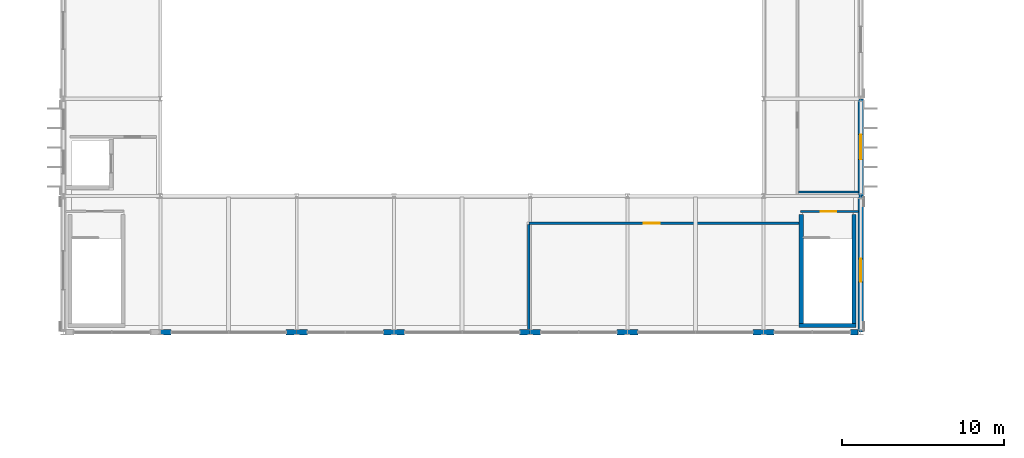
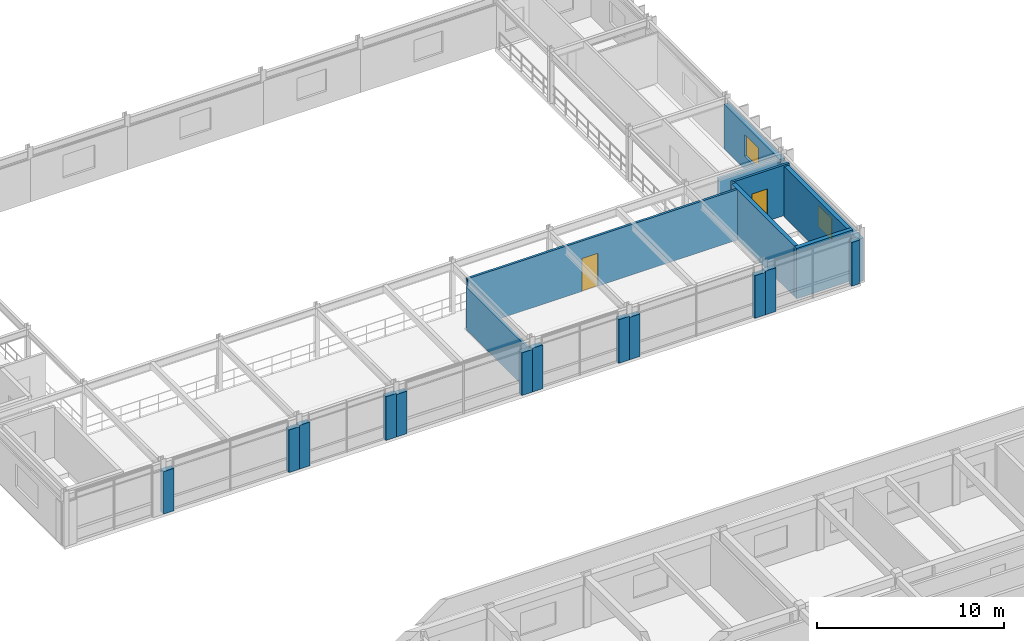
# One storey, part 53 of 88: 21 walls, 2 doors, 2 windows, 4 openings.
"""IFC4 building model written with IfcOpenShell, lengths in metres."""

from ifc_helpers import new_model, si_unit, direction, frame, frame_2d, origin, place, context, subcontext, project, spatial, rectangle, extrude, material, layer, layer_set, type_object, element, fill, save


model = new_model("IFC4")

# Units and contexts
model_context = context("Model", 3, precision=1e-05, world=origin(), true_north=direction((0.0, 1.0)))
body_context = subcontext(model_context, "Body", "Model", "MODEL_VIEW")
ifc_project = project(units=[si_unit("LENGTHUNIT", "METRE"), si_unit("AREAUNIT", "SQUARE_METRE"), si_unit("VOLUMEUNIT", "CUBIC_METRE"), si_unit("PLANEANGLEUNIT", "RADIAN"), si_unit("MASSUNIT", "GRAM", prefix="KILO"), si_unit("THERMODYNAMICTEMPERATUREUNIT", "KELVIN")], contexts=[model_context])

# Site, building, storey
site_placement = place(None, origin())
site = spatial("IfcSite", under=ifc_project, at=site_placement, CompositionType="ELEMENT")
building_placement = place(site_placement, origin())
building = spatial("IfcBuilding", under=site, at=building_placement, Name="Thalorik Housing Commons", CompositionType="ELEMENT")
storey_placement = place(building_placement, frame((0.0, 0.0, 4.5)))
storey = spatial("IfcBuildingStorey", under=building, at=storey_placement, Name="L01", CompositionType="ELEMENT", Elevation=4.5)

# Walls
ifc_material_1 = material(Name="Concrete C40/50", Category="concrete")
ifc_layer_1 = layer(ifc_material_1, 0.25, Name="Concrete C40/50", Category="concrete")
ifc_layer_set_1 = layer_set([ifc_layer_1], Name="Concrete C40/50")
wall_type_1 = type_object("IfcWallType", Name="ARC-WAL-CORE-250", PredefinedType="SHEAR", material=ifc_layer_set_1)
for number, where, z_axis, x_axis, name in (
    (1, (111.52490234375, 64.85009765625, 0.0), (0.0, 0.0, 1.0), (0.0, -1.0, 0.0), "L01 Stair ST-H2 Structural Support Wall L"),
    (2, (114.77490234375, 64.85009765625, 0.0), (0.0, 0.0, 1.0), (0.0, -1.0, 0.0), "L01 Stair ST-H2 Structural Support Wall R"),
):
    element("IfcWall", number, at=place(storey_placement, frame(where, z_axis=z_axis, x_axis=x_axis)), inside=storey, type_object=wall_type_1, Name=name, PredefinedType="SHEAR", context=body_context, shape_type="SweptSolid", body=[
        extrude(rectangle(XDim=6.7001953125, YDim=0.25, at=frame_2d((3.35009765625, 0.0))), origin(), (0.0, 0.0, 1.0), 3.300048828125),
    ])
wall_1_placement = place(storey_placement, frame((111.39990234375, 58.02490234375, 0.0), z_axis=(0.0, 0.0, 1.0), x_axis=(1.0, 0.0, 0.0)))
element("IfcWall", 3, at=wall_1_placement, inside=storey, type_object=wall_type_1, Name="L01 Stair ST-H2 Structural Support Wall F", PredefinedType="SHEAR", context=body_context, shape_type="SweptSolid", body=[
    extrude(rectangle(XDim=3.5, YDim=0.25, at=frame_2d((1.75, 0.0))), origin(), (0.0, 0.0, 1.0), 3.300048828125),
])
ifc_material_2 = material(Name="White precast concrete C40/50", Category="concrete")
ifc_layer_2 = layer(ifc_material_2, 0.320068359375, Name="White precast concrete C40/50", Category="concrete")
ifc_layer_set_2 = layer_set([ifc_layer_2], Name="White precast concrete C40/50")
wall_type_2 = type_object("IfcWallType", Name="ARC-WAL-EXT-320", PredefinedType="STANDARD", material=ifc_layer_set_2)
for number, where, z_axis, x_axis, name in (
    (4, (72.0, 57.60009765625, 0.0), (0.0, 0.0, 1.0), (1.0, 0.0, 0.0), "L01 Exterior Wall WAL-HALLPL-L01-1302"),
    (5, (79.75, 57.60009765625, 0.0), (0.0, 0.0, 1.0), (1.0, 0.0, 0.0), "L01 Exterior Wall WAL-HALLPR-L01-1302"),
):
    element("IfcWall", number, at=place(storey_placement, frame(where, z_axis=z_axis, x_axis=x_axis)), inside=storey, type_object=wall_type_2, Name=name, PredefinedType="STANDARD", context=body_context, shape_type="SweptSolid", body=[
        extrude(rectangle(XDim=0.64990234375, YDim=0.320068359375, at=frame_2d((0.324951171875, 0.0))), origin(), (0.0, 0.0, 1.0), 2.785888671875),
    ])
wall_2_placement = place(storey_placement, frame((80.39990234375, 57.60009765625, 0.0), z_axis=(0.0, 0.0, 1.0), x_axis=(1.0, 0.0, 0.0)))
element("IfcWall", 6, at=wall_2_placement, inside=storey, type_object=wall_type_2, Name="L01 Exterior Wall WAL-HALLPL-L01-1303", PredefinedType="STANDARD", context=body_context, shape_type="SweptSolid", body=[
    extrude(rectangle(XDim=0.650146484375, YDim=0.320068359375, at=frame_2d((0.3251953125, 0.0))), origin(), (0.0, 0.0, 1.0), 2.862060546875),
])
wall_3_placement = place(storey_placement, frame((85.75, 57.60009765625, 0.0), z_axis=(0.0, 0.0, 1.0), x_axis=(1.0, 0.0, 0.0)))
element("IfcWall", 7, at=wall_3_placement, inside=storey, type_object=wall_type_2, Name="L01 Exterior Wall WAL-HALLPR-L01-1303", PredefinedType="STANDARD", context=body_context, shape_type="SweptSolid", body=[
    extrude(rectangle(XDim=0.64990234375, YDim=0.320068359375, at=frame_2d((0.324951171875, 0.0))), origin(), (0.0, 0.0, 1.0), 2.862060546875),
])
for number, where, z_axis, x_axis, name in (
    (8, (86.39990234375, 57.60009765625, 0.0), (0.0, 0.0, 1.0), (1.0, 0.0, 0.0), "L01 Exterior Wall WAL-HALLPL-L01-1304"),
    (9, (94.14990234375, 57.60009765625, 0.0), (0.0, 0.0, 1.0), (1.0, 0.0, 0.0), "L01 Exterior Wall WAL-HALLPR-L01-1304"),
):
    element("IfcWall", number, at=place(storey_placement, frame(where, z_axis=z_axis, x_axis=x_axis)), inside=storey, type_object=wall_type_2, Name=name, PredefinedType="STANDARD", context=body_context, shape_type="SweptSolid", body=[
        extrude(rectangle(XDim=0.650146484375, YDim=0.320068359375, at=frame_2d((0.3251953125, 0.0))), origin(), (0.0, 0.0, 1.0), 2.785888671875),
    ])
wall_4_placement = place(storey_placement, frame((94.800048828125, 57.60009765625, 0.0), z_axis=(0.0, 0.0, 1.0), x_axis=(1.0, 0.0, 0.0)))
element("IfcWall", 10, at=wall_4_placement, inside=storey, type_object=wall_type_2, Name="L01 Exterior Wall WAL-HALLPL-L01-1305", PredefinedType="STANDARD", context=body_context, shape_type="SweptSolid", body=[
    extrude(rectangle(XDim=0.64990234375, YDim=0.320068359375, at=frame_2d((0.324951171875, 0.0))), origin(), (0.0, 0.0, 1.0), 2.862060546875),
])
wall_5_placement = place(storey_placement, frame((100.14990234375, 57.60009765625, 0.0), z_axis=(0.0, 0.0, 1.0), x_axis=(1.0, 0.0, 0.0)))
element("IfcWall", 11, at=wall_5_placement, inside=storey, type_object=wall_type_2, Name="L01 Exterior Wall WAL-HALLPR-L01-1305", PredefinedType="STANDARD", context=body_context, shape_type="SweptSolid", body=[
    extrude(rectangle(XDim=0.650146484375, YDim=0.320068359375, at=frame_2d((0.3251953125, 0.0))), origin(), (0.0, 0.0, 1.0), 2.862060546875),
])
for number, where, z_axis, x_axis, name in (
    (12, (100.800048828125, 57.60009765625, 0.0), (0.0, 0.0, 1.0), (1.0, 0.0, 0.0), "L01 Exterior Wall WAL-HALLPL-L01-1306"),
    (13, (108.550048828125, 57.60009765625, 0.0), (0.0, 0.0, 1.0), (1.0, 0.0, 0.0), "L01 Exterior Wall WAL-HALLPR-L01-1306"),
):
    element("IfcWall", number, at=place(storey_placement, frame(where, z_axis=z_axis, x_axis=x_axis)), inside=storey, type_object=wall_type_2, Name=name, PredefinedType="STANDARD", context=body_context, shape_type="SweptSolid", body=[
        extrude(rectangle(XDim=0.64990234375, YDim=0.320068359375, at=frame_2d((0.324951171875, 0.0))), origin(), (0.0, 0.0, 1.0), 2.785888671875),
    ])
wall_6_placement = place(storey_placement, frame((109.199951171875, 57.60009765625, 0.0), z_axis=(0.0, 0.0, 1.0), x_axis=(1.0, 0.0, 0.0)))
element("IfcWall", 14, at=wall_6_placement, inside=storey, type_object=wall_type_2, Name="L01 Exterior Wall WAL-HALLPL-L01-1307", PredefinedType="STANDARD", context=body_context, shape_type="SweptSolid", body=[
    extrude(rectangle(XDim=0.650146484375, YDim=0.320068359375, at=frame_2d((0.3251953125, 0.0))), origin(), (0.0, 0.0, 1.0), 2.862060546875),
])
wall_7_placement = place(storey_placement, frame((114.550048828125, 57.60009765625, 0.0), z_axis=(0.0, 0.0, 1.0), x_axis=(1.0, 0.0, 0.0)))
element("IfcWall", 15, at=wall_7_placement, inside=storey, type_object=wall_type_2, Name="L01 Exterior Wall WAL-HALLPR-L01-1307", PredefinedType="STANDARD", context=body_context, shape_type="SweptSolid", body=[
    extrude(rectangle(XDim=0.488037109375, YDim=0.320068359375, at=frame_2d((0.244140625, 0.0))), origin(), (0.0, 0.0, 1.0), 2.862060546875),
])

# Wall, opening, window
wall_8_placement = place(storey_placement, frame((115.199951171875, 57.60009765625, 0.0), z_axis=(0.0, 0.0, 1.0), x_axis=(0.0, 1.0, 0.0)))
wall_8 = element("IfcWall", 16, at=wall_8_placement, inside=storey, type_object=wall_type_2, Name="L01 Exterior Wall WAL-HALL-L01-1308", PredefinedType="STANDARD", context=body_context, shape_type="SweptSolid", body=[
    extrude(rectangle(XDim=8.39990234375, YDim=0.320068359375, at=frame_2d((4.199951171875, 0.0))), origin(), (0.0, 0.0, 1.0), 2.7900390625),
])
opening_1_placement = place(wall_8_placement, frame((3.110107421875, 0.0, 0.85009765625)))
opening_1 = element("IfcOpeningElement", 17, at=opening_1_placement, cuts=wall_8, Name="Opening W-50", PredefinedType="OPENING", context=body_context, shape_type="SweptSolid", body=[
    extrude(rectangle(XDim=1.419921875, YDim=1.3798828125, at=frame_2d((0.7099609375, 0.68994140625))), frame((0.0, 0.169921875, 0.0), z_axis=(0.0, -1.0, 0.0), x_axis=(1.0, 0.0, 0.0)), (0.0, 0.0, 1.0), 0.340087890625),
])
ifc_material_3 = material(Name="Anodised aluminium and solar-control low-E glass", Category="aluminium")
window_type_1 = type_object("IfcWindowType", Name="ARC-WIN-50", PartitioningType="SINGLE_PANEL", PredefinedType="WINDOW", material=ifc_material_3)
window_1_placement = place(opening_1_placement, origin())
window_1 = element("IfcWindow", 18, at=window_1_placement, inside=storey, type_object=window_type_1, Name="L01 Facade Window 2343", OverallHeight=1.3798828125, OverallWidth=1.419921875, PartitioningType="SINGLE_PANEL", PredefinedType="WINDOW", context=body_context, shape_type="SweptSolid", body=[
    extrude(rectangle(XDim=1.419921875, YDim=1.3798828125, at=frame_2d((0.7099609375, 0.68994140625))), frame((0.0, 0.030029296875, 0.0), z_axis=(0.0, -1.0, 0.0), x_axis=(1.0, 0.0, 0.0)), (0.0, 0.0, 1.0), 0.06005859375),
])
fill(opening_1, window_1)

wall_9_placement = place(storey_placement, frame((115.199951171875, 66.0, 0.0), z_axis=(0.0, 0.0, 1.0), x_axis=(0.0, 1.0, 0.0)))
wall_9 = element("IfcWall", 19, at=wall_9_placement, inside=storey, type_object=wall_type_2, Name="L01 Exterior Wall WAL-HALL-L01-1309", PredefinedType="STANDARD", context=body_context, shape_type="SweptSolid", body=[
    extrude(rectangle(XDim=6.0, YDim=0.320068359375, at=frame_2d((3.0, 0.0))), origin(), (0.0, 0.0, 1.0), 2.912109375),
])
opening_2_placement = place(wall_9_placement, frame((2.27001953125, 0.0, 0.85009765625)))
opening_2 = element("IfcOpeningElement", 20, at=opening_2_placement, cuts=wall_9, Name="Opening W-52", PredefinedType="OPENING", context=body_context, shape_type="SweptSolid", body=[
    extrude(rectangle(XDim=1.52001953125, YDim=1.419921875, at=frame_2d((0.760009765625, 0.7099609375))), frame((0.0, 0.169921875, 0.0), z_axis=(0.0, -1.0, 0.0), x_axis=(1.0, 0.0, 0.0)), (0.0, 0.0, 1.0), 0.340087890625),
])
window_type_2 = type_object("IfcWindowType", Name="ARC-WIN-52", PartitioningType="SINGLE_PANEL", PredefinedType="WINDOW", material=ifc_material_3)
window_2_placement = place(opening_2_placement, origin())
window_2 = element("IfcWindow", 21, at=window_2_placement, inside=storey, type_object=window_type_2, Name="L01 Facade Window 2344", OverallHeight=1.419921875, OverallWidth=1.52001953125, PartitioningType="SINGLE_PANEL", PredefinedType="WINDOW", context=body_context, shape_type="SweptSolid", body=[
    extrude(rectangle(XDim=1.52001953125, YDim=1.419921875, at=frame_2d((0.760009765625, 0.7099609375))), frame((0.0, 0.030029296875, 0.0), z_axis=(0.0, -1.0, 0.0), x_axis=(1.0, 0.0, 0.0)), (0.0, 0.0, 1.0), 0.06005859375),
])
fill(opening_2, window_2)

# Wall
ifc_material_4 = material(Name="Ceramic masonry partition wall", Category="masonry")
ifc_layer_3 = layer(ifc_material_4, 0.14794921875, Name="Ceramic masonry partition wall", Category="masonry")
ifc_layer_set_3 = layer_set([ifc_layer_3], Name="Ceramic masonry partition wall")
wall_type_3 = type_object("IfcWallType", Name="ARC-WAL-PART-150", PredefinedType="PARTITIONING", material=ifc_layer_set_3)
wall_10_placement = place(storey_placement, frame((94.719970703125, 57.761962890625, 0.0), z_axis=(0.0, 0.0, 1.0), x_axis=(0.0, 1.0, 0.0)))
element("IfcWall", 22, at=wall_10_placement, inside=storey, type_object=wall_type_3, Name="L01 Community Workshop West Wall", PredefinedType="PARTITIONING", context=body_context, shape_type="SweptSolid", body=[
    extrude(rectangle(XDim=6.48193359375, YDim=0.14794921875, at=frame_2d((3.240966796875, 0.0))), origin(), (0.0, 0.0, 1.0), 2.7900390625),
])

# Wall, opening, door
wall_11_placement = place(storey_placement, frame((94.719970703125, 64.320068359375, 0.0), z_axis=(0.0, 0.0, 1.0), x_axis=(1.0, 0.0, 0.0)))
wall_11 = element("IfcWall", 23, at=wall_11_placement, inside=storey, type_object=wall_type_3, Name="L01 Community Workshop North Wall", PredefinedType="PARTITIONING", context=body_context, shape_type="SweptSolid", body=[
    extrude(rectangle(XDim=16.679931640625, YDim=0.14794921875, at=frame_2d((8.33984375, 0.0))), origin(), (0.0, 0.0, 1.0), 3.300048828125),
])
opening_3_placement = place(wall_11_placement, frame((7.077880859375, 0.0, 0.0)))
opening_3 = element("IfcOpeningElement", 24, at=opening_3_placement, cuts=wall_11, Name="Opening ID-2184", PredefinedType="OPENING", context=body_context, shape_type="SweptSolid", body=[
    extrude(rectangle(XDim=1.0, YDim=2.14990234375, at=frame_2d((0.5, 1.074951171875))), frame((0.0, 0.083984375, 0.0), z_axis=(0.0, -1.0, 0.0), x_axis=(1.0, 0.0, 0.0)), (0.0, 0.0, 1.0), 0.16796875),
])
ifc_material_5 = material(Name="Steel S355", Category="steel")
door_type_1 = type_object("IfcDoorType", Name="ARC-DR-FD60-1000", OperationType="NOTDEFINED", PredefinedType="DOOR", material=ifc_material_5)
door_1_placement = place(opening_3_placement, origin())
door_1 = element("IfcDoor", 25, at=door_1_placement, inside=storey, type_object=door_type_1, Name="L01 Community Workshop Door", OperationType="SINGLE_SWING_RIGHT", OverallHeight=2.14990234375, OverallWidth=1.0, PredefinedType="DOOR", context=body_context, shape_type="SweptSolid", body=[
    extrude(rectangle(XDim=1.0, YDim=2.14990234375, at=frame_2d((0.5, 1.074951171875))), frame((0.0, 0.02490234375, 0.0), z_axis=(0.0, -1.0, 0.0), x_axis=(1.0, 0.0, 0.0)), (0.0, 0.0, 1.0), 0.050048828125),
])
fill(opening_3, door_1)

# Wall
wall_12_placement = place(storey_placement, frame((111.35595703125, 66.25, 0.0), z_axis=(0.0, 0.0, 1.0), x_axis=(1.0, 0.0, 0.0)))
element("IfcWall", 26, at=wall_12_placement, inside=storey, type_object=wall_type_3, Name="L01 Ceramics Workshop South Wall", PredefinedType="PARTITIONING", context=body_context, shape_type="SweptSolid", body=[
    extrude(rectangle(XDim=3.7041015625, YDim=0.14794921875, at=frame_2d((1.85205078125, 0.0))), origin(), (0.0, 0.0, 1.0), 2.862060546875),
])

# Wall, opening, door
wall_13_placement = place(storey_placement, frame((111.47998046875, 65.050048828125, 0.0), z_axis=(0.0, 0.0, 1.0), x_axis=(1.0, 0.0, 0.0)))
wall_13 = element("IfcWall", 27, at=wall_13_placement, inside=storey, type_object=wall_type_3, Name="L01 Hall East Stair North Wall", PredefinedType="PARTITIONING", context=body_context, shape_type="SweptSolid", body=[
    extrude(rectangle(XDim=3.580078125, YDim=0.14794921875, at=frame_2d((1.7900390625, 0.0))), origin(), (0.0, 0.0, 1.0), 3.300048828125),
])
opening_4_placement = place(wall_13_placement, frame((1.25, 0.0, 0.0)))
opening_4 = element("IfcOpeningElement", 28, at=opening_4_placement, cuts=wall_13, Name="Opening ID-2189", PredefinedType="OPENING", context=body_context, shape_type="SweptSolid", body=[
    extrude(rectangle(XDim=0.949951171875, YDim=2.10009765625, at=frame_2d((0.47509765625, 1.050048828125))), frame((0.0, 0.083984375, 0.0), z_axis=(0.0, -1.0, 0.0), x_axis=(1.0, 0.0, 0.0)), (0.0, 0.0, 1.0), 0.16796875),
])
door_type_2 = type_object("IfcDoorType", Name="ARC-DR-FD60-950", OperationType="NOTDEFINED", PredefinedType="DOOR", material=ifc_material_5)
door_2_placement = place(opening_4_placement, origin())
door_2 = element("IfcDoor", 29, at=door_2_placement, inside=storey, type_object=door_type_2, Name="L01 Stair ST-H2 Fire Door", OperationType="SINGLE_SWING_RIGHT", OverallHeight=2.10009765625, OverallWidth=0.949951171875, PredefinedType="DOOR", context=body_context, shape_type="SweptSolid", body=[
    extrude(rectangle(XDim=0.949951171875, YDim=2.10009765625, at=frame_2d((0.47509765625, 1.050048828125))), frame((0.0, 0.02490234375, 0.0), z_axis=(0.0, -1.0, 0.0), x_axis=(1.0, 0.0, 0.0)), (0.0, 0.0, 1.0), 0.050048828125),
])
fill(opening_4, door_2)

save(model, "model.ifc")
